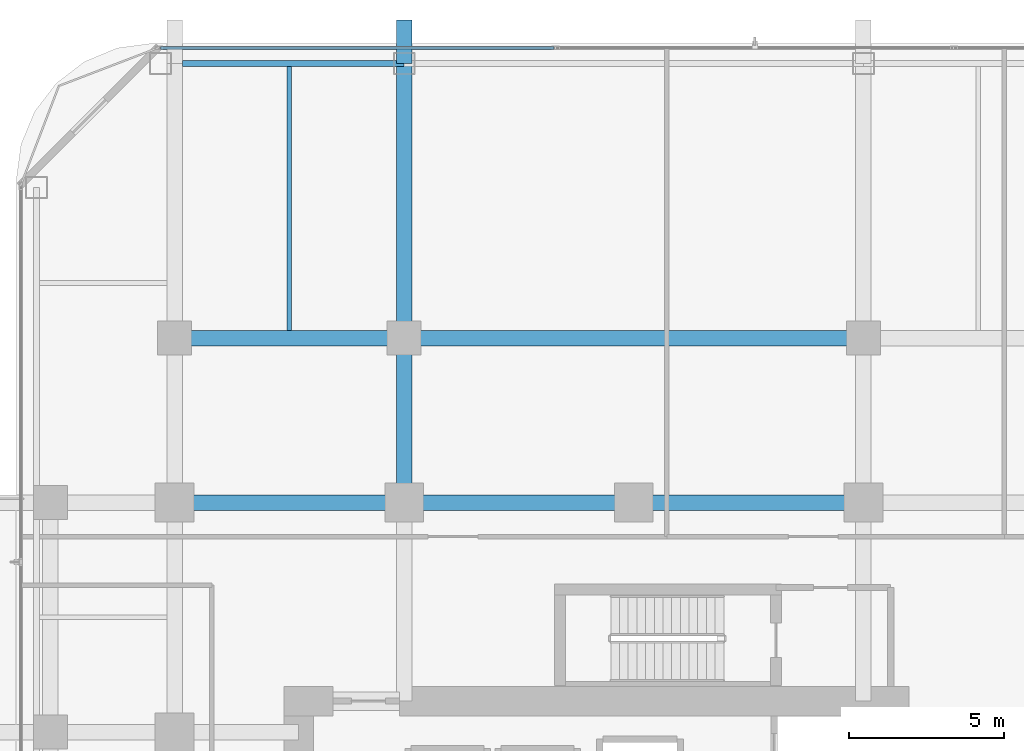
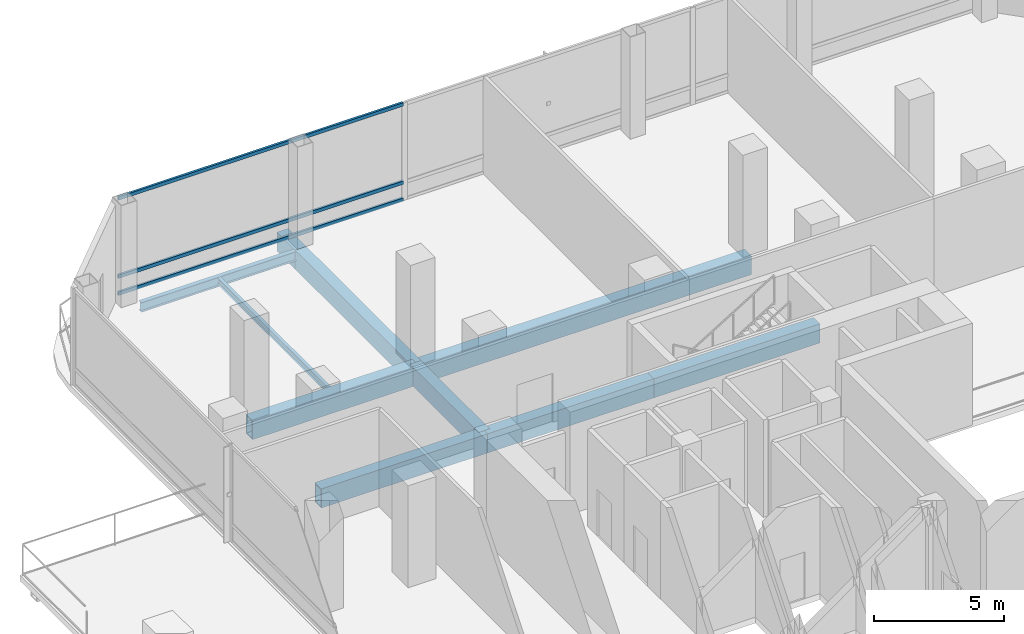
# One storey, part 15 of 28: 10 beams, 3 members, 1 element without a shape of its own.
"""IFC4 building model written with IfcOpenShell, lengths in metres."""

from ifc_helpers import new_model, si_unit, direction, frame, origin, origin_2d, place, context, subcontext, project, spatial, hollow_rectangle, i_section, extrude, material, layer, layer_set, material_profile, profile_set, type_object, element, aggregate, save


model = new_model("IFC4")

# Units and contexts
model_context = context("Model", 3, precision=1e-05, world=origin(), true_north=direction((0.0, 1.0)))
body_context = subcontext(model_context, "Body", "Model", "MODEL_VIEW")
ifc_project = project(units=[si_unit("LENGTHUNIT", "METRE"), si_unit("AREAUNIT", "SQUARE_METRE"), si_unit("VOLUMEUNIT", "CUBIC_METRE"), si_unit("PLANEANGLEUNIT", "RADIAN"), si_unit("MASSUNIT", "GRAM", prefix="KILO")], contexts=[model_context])

# Site, building, storey
site_placement = place(None, origin())
site = spatial("IfcSite", under=ifc_project, at=site_placement, CompositionType="ELEMENT")
building_placement = place(site_placement, origin())
building = spatial("IfcBuilding", under=site, at=building_placement, Name="Khorvyn Point Tower", CompositionType="ELEMENT")
storey_placement = place(building_placement, frame((0.0, 0.0, 108.60009765625)))
storey = spatial("IfcBuildingStorey", under=building, at=storey_placement, Name="L27", CompositionType="ELEMENT", Elevation=108.60009765625)

# Curtain wall, members
ifc_material_1 = material(Name="Anodised aluminium 6063-T6 and laminated Low-E glass", Category="aluminium")
ifc_layer = layer(ifc_material_1, 0.18994140625)
ifc_layer_set = layer_set([ifc_layer], Name="Stick-Built Sky-Lobby Curtain Wall CW-SYS-05")
curtain_wall_type = type_object("IfcCurtainWallType", Name="Stick-Built Sky-Lobby Curtain Wall CW-SYS-05", PredefinedType="NOTDEFINED", material=ifc_layer_set)
curtain_wall_placement = place(storey_placement, origin())
curtain_wall = element("IfcCurtainWall", 1, at=curtain_wall_placement, inside=storey, type_object=curtain_wall_type, Name="Curtain Wall", PredefinedType="NOTDEFINED")
ifc_material_2 = material(Name="Anodised aluminium 6063-T6", Category="aluminium")
ifc_material_profile_1 = material_profile(ifc_material_2, hollow_rectangle(XDim=0.10009765625, YDim=0.159912109375, WallThickness=0.00439453125, at=origin_2d()))
ifc_profile_set_1 = profile_set([ifc_material_profile_1], Name="Anodised aluminium 6063-T6 ALU-TRN-100x160")
member_type = type_object("IfcMemberType", Name="Anodised Aluminium 6063-T6 Transom ALU-TRN-100x160", PredefinedType="USERDEFINED", material=ifc_profile_set_1)
member_1_placement = place(storey_placement, frame((-15.25, 29.449951171875, 0.0498046875), z_axis=(1.0, 0.0, 0.0), x_axis=(0.0, 1.0, 0.0)))
member_1 = element("IfcMember", 2, at=member_1_placement, type_object=member_type, Name="Transom", ObjectType="TRANSOM", PredefinedType="USERDEFINED", context=body_context, shape_type="SweptSolid", body=[
    extrude(hollow_rectangle(XDim=0.10009765625, YDim=0.159912109375, WallThickness=0.00439453125, at=origin_2d()), origin(), (0.0, 0.0, 1.0), 12.683349609375),
])
member_2_placement = place(storey_placement, frame((-15.25, 29.449951171875, 0.849853515625), z_axis=(1.0, 0.0, 0.0), x_axis=(0.0, 1.0, 0.0)))
member_2 = element("IfcMember", 3, at=member_2_placement, type_object=member_type, Name="Transom", ObjectType="TRANSOM", PredefinedType="USERDEFINED", context=body_context, shape_type="SweptSolid", body=[
    extrude(hollow_rectangle(XDim=0.10009765625, YDim=0.159912109375, WallThickness=0.00439453125, at=origin_2d()), origin(), (0.0, 0.0, 1.0), 12.683349609375),
])
member_3_placement = place(storey_placement, frame((-15.25, 29.449951171875, 4.52978515625), z_axis=(1.0, 0.0, 0.0), x_axis=(0.0, 1.0, 0.0)))
member_3 = element("IfcMember", 4, at=member_3_placement, type_object=member_type, Name="Transom", ObjectType="TRANSOM", PredefinedType="USERDEFINED", context=body_context, shape_type="SweptSolid", body=[
    extrude(hollow_rectangle(XDim=0.10009765625, YDim=0.159912109375, WallThickness=0.00439453125, at=origin_2d()), origin(), (0.0, 0.0, 1.0), 12.683349609375),
])
aggregate(curtain_wall, [member_1, member_2, member_3])

# Beams
ifc_material_3 = material(Name="Steel S355", Category="steel")
ifc_material_profile_2 = material_profile(ifc_material_3, i_section(OverallWidth=0.14990234375, OverallDepth=0.300048828125, WebThickness=0.006591796875, FlangeThickness=0.009033203125, at=origin_2d()))
ifc_profile_set_2 = profile_set([ifc_material_profile_2], Name="Steel S355 H300x150x6.5x9")
beam_type_1 = type_object("IfcBeamType", Name="Steel S355 Joist H300x150x6.5x9", PredefinedType="JOIST", material=ifc_profile_set_2)
beam_1_placement = place(storey_placement, frame((-11.10009765625, 20.35009765625, -0.43017578125), z_axis=(0.0, 1.0, 0.0), x_axis=(-1.0, 0.0, 0.0)))
element("IfcBeam", 5, at=beam_1_placement, inside=storey, type_object=beam_type_1, Name="Beam", PredefinedType="JOIST", context=body_context, shape_type="SweptSolid", body=[
    extrude(i_section(OverallWidth=0.14990234375, OverallDepth=0.300048828125, WebThickness=0.006591796875, FlangeThickness=0.009033203125, at=origin_2d()), origin(), (0.0, 0.0, 1.0), 8.5),
])
ifc_material_profile_3 = material_profile(ifc_material_3, i_section(OverallWidth=0.199951171875, OverallDepth=0.449951171875, WebThickness=0.009033203125, FlangeThickness=0.013916015625, at=origin_2d()))
ifc_profile_set_3 = profile_set([ifc_material_profile_3], Name="Steel S355 H450x200x9x14")
beam_type_2 = type_object("IfcBeamType", Name="Steel S355 Spandrel H450x200x9x14", PredefinedType="SPANDREL", material=ifc_profile_set_3)
beam_2_placement = place(storey_placement, frame((-14.550048828125, 28.949951171875, -0.505126953125), z_axis=(1.0, 0.0, 0.0), x_axis=(0.0, 1.0, 0.0)))
element("IfcBeam", 6, at=beam_2_placement, inside=storey, type_object=beam_type_2, Name="Beam", PredefinedType="SPANDREL", context=body_context, shape_type="SweptSolid", body=[
    extrude(i_section(OverallWidth=0.199951171875, OverallDepth=0.449951171875, WebThickness=0.009033203125, FlangeThickness=0.013916015625, at=origin_2d()), origin(), (0.0, 0.0, 1.0), 7.150146484375),
])
ifc_material_4 = material(Name="Steel S450", Category="steel")
ifc_material_profile_4 = material_profile(ifc_material_4, hollow_rectangle(XDim=0.5, YDim=0.89990234375, WallThickness=0.0400390625, at=origin_2d()))
ifc_profile_set_4 = profile_set([ifc_material_profile_4], Name="Steel S450 BOX900x500x40")
beam_type_3 = type_object("IfcBeamType", Name="Steel S450 Beam BOX900x500x40", PredefinedType="BEAM", material=ifc_profile_set_4)
beam_3_placement = place(storey_placement, frame((-14.800048828125, 14.800048828125, -0.72998046875), z_axis=(1.0, 0.0, 0.0), x_axis=(0.0, 1.0, 0.0)))
element("IfcBeam", 7, at=beam_3_placement, inside=storey, type_object=beam_type_3, Name="L27 Radial Transfer Girder", PredefinedType="BEAM", context=body_context, shape_type="SweptSolid", body=[
    extrude(hollow_rectangle(XDim=0.5, YDim=0.89990234375, WallThickness=0.0400390625, at=origin_2d()), origin(), (0.0, 0.0, 1.0), 7.400146484375),
])
for number, where, z_axis, x_axis, name in (
    (8, (-7.39990234375, 14.800048828125, -0.72998046875), (1.0, 0.0, 0.0), (0.0, 1.0, 0.0), "L27 Radial Transfer Girder"),
    (9, (0.0, 14.800048828125, -0.72998046875), (1.0, 0.0, 0.0), (0.0, 1.0, 0.0), "L27 Radial Transfer Girder"),
):
    element("IfcBeam", number, at=place(storey_placement, frame(where, z_axis=z_axis, x_axis=x_axis)), inside=storey, type_object=beam_type_3, Name=name, PredefinedType="BEAM", context=body_context, shape_type="SweptSolid", body=[
        extrude(hollow_rectangle(XDim=0.5, YDim=0.89990234375, WallThickness=0.0400390625, at=origin_2d()), origin(), (0.0, 0.0, 1.0), 7.39990234375),
    ])
beam_4_placement = place(storey_placement, frame((-14.800048828125, 20.10009765625, -0.72998046875), z_axis=(1.0, 0.0, 0.0), x_axis=(0.0, 1.0, 0.0)))
element("IfcBeam", 10, at=beam_4_placement, inside=storey, type_object=beam_type_3, Name="Beam", PredefinedType="BEAM", context=body_context, shape_type="SweptSolid", body=[
    extrude(hollow_rectangle(XDim=0.5, YDim=0.89990234375, WallThickness=0.0400390625, at=origin_2d()), origin(), (0.0, 0.0, 1.0), 7.400146484375),
])
beam_5_placement = place(storey_placement, frame((-7.39990234375, 20.10009765625, -0.72998046875), z_axis=(1.0, 0.0, 0.0), x_axis=(0.0, 1.0, 0.0)))
element("IfcBeam", 11, at=beam_5_placement, inside=storey, type_object=beam_type_3, Name="Beam", PredefinedType="BEAM", context=body_context, shape_type="SweptSolid", body=[
    extrude(hollow_rectangle(XDim=0.5, YDim=0.89990234375, WallThickness=0.0400390625, at=origin_2d()), origin(), (0.0, 0.0, 1.0), 14.7998046875),
])
beam_6_placement = place(storey_placement, frame((-7.39990234375, 14.800048828125, -0.72998046875), z_axis=(0.0, 1.0, 0.0), x_axis=(-1.0, 0.0, 0.0)))
element("IfcBeam", 12, at=beam_6_placement, inside=storey, type_object=beam_type_3, Name="Beam", PredefinedType="BEAM", context=body_context, shape_type="SweptSolid", body=[
    extrude(hollow_rectangle(XDim=0.5, YDim=0.89990234375, WallThickness=0.0400390625, at=origin_2d()), origin(), (0.0, 0.0, 1.0), 5.300048828125),
])
beam_7_placement = place(storey_placement, frame((-7.39990234375, 20.10009765625, -0.72998046875), z_axis=(0.0, 1.0, 0.0), x_axis=(-1.0, 0.0, 0.0)))
element("IfcBeam", 13, at=beam_7_placement, inside=storey, type_object=beam_type_3, Name="Beam", PredefinedType="BEAM", context=body_context, shape_type="SweptSolid", body=[
    extrude(hollow_rectangle(XDim=0.5, YDim=0.89990234375, WallThickness=0.0400390625, at=origin_2d()), origin(), (0.0, 0.0, 1.0), 8.849853515625),
])
beam_8_placement = place(storey_placement, frame((-7.39990234375, 28.949951171875, -0.72998046875), z_axis=(0.0, 1.0, 0.0), x_axis=(-1.0, 0.0, 0.0)))
element("IfcBeam", 14, at=beam_8_placement, inside=storey, type_object=beam_type_3, Name="Beam", PredefinedType="BEAM", context=body_context, shape_type="SweptSolid", body=[
    extrude(hollow_rectangle(XDim=0.5, YDim=0.89990234375, WallThickness=0.0400390625, at=origin_2d()), origin(), (0.0, 0.0, 1.0), 1.400146484375),
])

save(model, "model.ifc")
